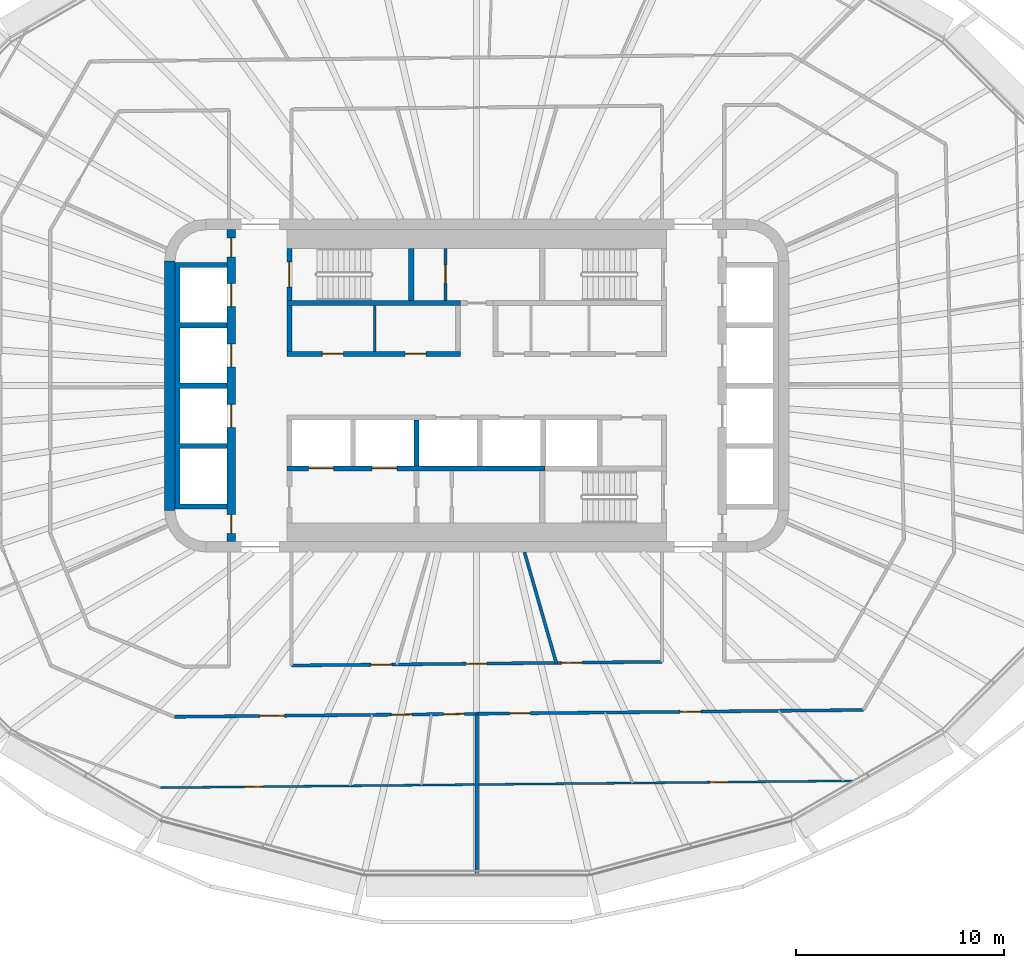
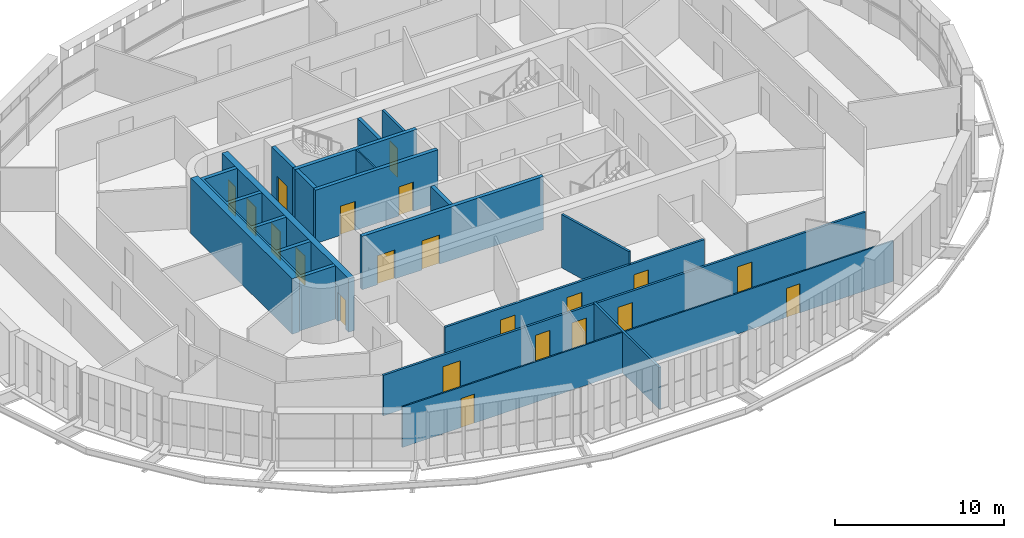
# One storey, part 12 of 23: 21 doors, 17 walls, 21 openings.
"""IFC4 building model written with IfcOpenShell, lengths in metres."""

import ifcopenshell
import ifcopenshell.guid

model = None  # the IFC model being written
_history = None  # IfcOwnerHistory: only IFC2X3 demands one
_inside = {}  # id of a spatial element -> (the spatial element, [elements in it])
_under = {}  # id of a project, library or spatial element -> (it, [spatial elements below it])
_declared = {}  # id of a project -> (the project, [libraries it declares])
_typed = {}  # id of a type object -> (the type object, [elements of that type])
_made_of = {}  # id of a material, layer set ... -> (it, [elements and type objects made of it])


def new_model(schema):
    """Start an empty IFC model of exactly this schema.

    Asked for "IFC4X3", IfcOpenShell would pick the latest addendum, in which some entities
    have other attributes; the version numbers below select the first issue.
    IFC2X3 requires an IfcOwnerHistory on every rooted entity: one is made here for all.
    """
    global model, _history
    if schema == "IFC4X3":
        model = ifcopenshell.file(schema_version=(4, 3, 0, 0))
    else:
        model = ifcopenshell.file(schema=schema)
    _inside.clear()
    _under.clear()
    _declared.clear()
    _typed.clear()
    _made_of.clear()
    _history = None
    if model.schema == "IFC2X3":
        org = make("IfcOrganization", Name="unknown")
        user = make(
            "IfcPersonAndOrganization",
            ThePerson=make("IfcPerson", FamilyName="unknown"),
            TheOrganization=org,
        )
        app = make(
            "IfcApplication",
            ApplicationDeveloper=org,
            Version="unknown",
            ApplicationFullName="unknown",
            ApplicationIdentifier="unknown",
        )
        _history = make(
            "IfcOwnerHistory",
            OwningUser=user,
            OwningApplication=app,
            ChangeAction="ADDED",
            CreationDate=0,
        )
    return model


def make(cls, **values):
    """One entity of the class cls with the attributes given. An attribute that is None is left unset."""
    return model.create_entity(
        cls, **{name: value for name, value in values.items() if value is not None}
    )


def rooted(cls, **values):
    """An entity with a GlobalId (a new one), such as an element, a storey or a relation."""
    return make(cls, GlobalId=ifcopenshell.guid.new(), OwnerHistory=_history, **values)


def si_unit(unit_type, name, prefix=None):
    """IfcSIUnit, for example si_unit("LENGTHUNIT", "METRE", prefix="MILLI")."""
    return make("IfcSIUnit", UnitType=unit_type, Prefix=prefix, Name=name)


def assignment(units):
    """IfcUnitAssignment: the units of a project."""
    return None if units is None else make("IfcUnitAssignment", Units=units)


def point(xyz):
    """IfcCartesianPoint."""
    return None if xyz is None else make("IfcCartesianPoint", Coordinates=xyz)


def direction(xyz):
    """IfcDirection."""
    return None if xyz is None else make("IfcDirection", DirectionRatios=xyz)


def frame(location, z_axis=None, x_axis=None):
    """IfcAxis2Placement3D, a coordinate frame: its origin and axes. An axis left out is left unset."""
    return make(
        "IfcAxis2Placement3D",
        Location=point(location),
        Axis=direction(z_axis),
        RefDirection=direction(x_axis),
    )


def frame_2d(location, x_axis=None):
    """IfcAxis2Placement2D, a coordinate frame in the plane: its origin and x axis."""
    return make(
        "IfcAxis2Placement2D", Location=point(location), RefDirection=direction(x_axis)
    )


def origin():
    """The frame at (0, 0, 0) with its axes left unset."""
    return frame((0.0, 0.0, 0.0))


def place(relative_to, where):
    """IfcLocalPlacement: puts the frame where relative to a parent placement (None: the world)."""
    return make(
        "IfcLocalPlacement", PlacementRelTo=relative_to, RelativePlacement=where
    )


def context(
    kind, dimensions, precision=None, world=None, true_north=None, identifier=None
):
    """IfcGeometricRepresentationContext, for example the 3D "Model" context."""
    return make(
        "IfcGeometricRepresentationContext",
        ContextIdentifier=identifier,
        ContextType=kind,
        CoordinateSpaceDimension=dimensions,
        Precision=precision,
        WorldCoordinateSystem=world,
        TrueNorth=true_north,
    )


def subcontext(parent, identifier, kind, view, scale=None):
    """IfcGeometricRepresentationSubContext, for example "Body" below "Model"."""
    return make(
        "IfcGeometricRepresentationSubContext",
        ContextIdentifier=identifier,
        ContextType=kind,
        ParentContext=parent,
        TargetScale=scale,
        TargetView=view,
    )


def project(units=None, contexts=None):
    """IfcProject with its units and contexts."""
    return rooted(
        "IfcProject",
        Name="project",
        RepresentationContexts=contexts,
        UnitsInContext=assignment(units),
    )


def spatial(cls, under=None, at=None, **own):
    """A site, building, storey or space (cls), placed at a placement, below another one or the project."""
    s = rooted(cls, ObjectPlacement=at, **own)
    if under is not None:
        _under.setdefault(under.id(), (under, []))[1].append(s)
    return s


def polyline(points):
    """IfcPolyline through the points."""
    return make("IfcPolyline", Points=[point(p) for p in points])


def profile(cls, at=None, kind="AREA", **sizes):
    """A parametric profile (cls). Its sizes go by their IFC names, for example OverallWidth=200.0."""
    return make(cls, ProfileType=kind, Position=at, **sizes)


def rectangle(**sizes):
    """IfcRectangleProfileDef."""
    return profile("IfcRectangleProfileDef", **sizes)


def outline(outer, holes=None, kind="AREA"):
    """IfcArbitraryClosedProfileDef: a profile drawn as a closed curve; with holes, ...WithVoids."""
    if holes is None:
        return make("IfcArbitraryClosedProfileDef", ProfileType=kind, OuterCurve=outer)
    return make(
        "IfcArbitraryProfileDefWithVoids",
        ProfileType=kind,
        OuterCurve=outer,
        InnerCurves=holes,
    )


def extrude(swept, where, along, depth):
    """IfcExtrudedAreaSolid: the profile swept, set in the frame where, extruded along a direction by depth."""
    return make(
        "IfcExtrudedAreaSolid",
        SweptArea=swept,
        Position=where,
        ExtrudedDirection=direction(along),
        Depth=depth,
    )


def shape(context_of_items, identifier, shape_type, items):
    """IfcShapeRepresentation: the items that make up one representation, for example the "Body"."""
    return make(
        "IfcShapeRepresentation",
        ContextOfItems=context_of_items,
        RepresentationIdentifier=identifier,
        RepresentationType=shape_type,
        Items=items,
    )


def material(Name=None, Category=None):
    """IfcMaterial."""
    return make("IfcMaterial", Name=Name, Category=Category)


def layer(
    of_material, thickness, ventilated=None, Name=None, Category=None, Priority=None
):
    """IfcMaterialLayer: one layer of a wall or slab, of a material (None: an air gap)."""
    return make(
        "IfcMaterialLayer",
        Material=of_material,
        LayerThickness=thickness,
        IsVentilated=ventilated,
        Name=Name,
        Category=Category,
        Priority=Priority,
    )


def layer_set(layers, Name=None):
    """IfcMaterialLayerSet."""
    return make("IfcMaterialLayerSet", MaterialLayers=layers, LayerSetName=Name)


def made_of(thing, what):
    """Note that an element or type object is made of a material, layer set ...; save() writes the relation."""
    if what is not None:
        _made_of.setdefault(what.id(), (what, []))[1].append(thing)
    return thing


def type_object(cls, material=None, **own):
    """A type object (cls), such as IfcWallType, which elements share."""
    return made_of(rooted(cls, **own), material)


def element(
    cls,
    number,
    at=None,
    inside=None,
    cuts=None,
    type_object=None,
    material=None,
    context=None,
    identifier="Body",
    shape_type=None,
    held_by="IfcProductDefinitionShape",
    body=None,
    shapes=None,
    **own,
):
    """One element of the class cls, such as IfcWall. Its Tag is "e" and its number.

    at: its placement. inside: the storey or other place that contains it. cuts: it is an
    opening in that element (IfcRelVoidsElement). A single representation is given by context,
    identifier, shape_type and body (its items); several are given by shapes. held_by: the class
    of the entity that holds the representations. save() writes the other relations.
    """
    e = rooted(cls, Tag="e%d" % number, ObjectPlacement=at, **own)
    if body is not None:
        shapes = [shape(context, identifier, shape_type, body)]
    if shapes is not None:
        e.Representation = make(held_by, Representations=shapes)
    if inside is not None:
        _inside.setdefault(inside.id(), (inside, []))[1].append(e)
    if cuts is not None:
        rooted(
            "IfcRelVoidsElement", RelatingBuildingElement=cuts, RelatedOpeningElement=e
        )
    if type_object is not None:
        _typed.setdefault(type_object.id(), (type_object, []))[1].append(e)
    return made_of(e, material)


def fill(opening, filler):
    """IfcRelFillsElement: the door or window that sits in an opening."""
    return rooted(
        "IfcRelFillsElement",
        RelatingOpeningElement=opening,
        RelatedBuildingElement=filler,
    )


def aggregate(whole, parts):
    """IfcRelAggregates: a whole, such as a stair, and the parts it consists of."""
    return rooted("IfcRelAggregates", RelatingObject=whole, RelatedObjects=parts)


def save(model, path):
    """Write the relations noted so far, then the file.

    IfcRelAggregates (storeys below a building ...), IfcRelContainedInSpatialStructure (elements
    in a storey), IfcRelDefinesByType, IfcRelAssociatesMaterial and IfcRelDeclares: one each for
    every whole, place, type object, material and project.
    """
    for whole, parts in _under.values():
        aggregate(whole, parts)
    for where, things in _inside.values():
        rooted(
            "IfcRelContainedInSpatialStructure",
            RelatedElements=things,
            RelatingStructure=where,
        )
    for kind, things in _typed.values():
        rooted("IfcRelDefinesByType", RelatedObjects=things, RelatingType=kind)
    for what, things in _made_of.values():
        rooted("IfcRelAssociatesMaterial", RelatedObjects=things, RelatingMaterial=what)
    for by, libraries in _declared.values():
        rooted("IfcRelDeclares", RelatingContext=by, RelatedDefinitions=libraries)
    model.write(path)


model = new_model("IFC4")

# Units and contexts
model_context = context("Model", 3, precision=1e-05, world=origin(), true_north=direction((0.0, 1.0)))
body_context = subcontext(model_context, "Body", "Model", "MODEL_VIEW")
ifc_project = project(units=[si_unit("LENGTHUNIT", "METRE"), si_unit("AREAUNIT", "SQUARE_METRE"), si_unit("VOLUMEUNIT", "CUBIC_METRE"), si_unit("PLANEANGLEUNIT", "RADIAN"), si_unit("MASSUNIT", "GRAM", prefix="KILO")], contexts=[model_context])

# Site, building, storey
site_placement = place(None, origin())
site = spatial("IfcSite", under=ifc_project, at=site_placement, CompositionType="ELEMENT")
building_placement = place(site_placement, origin())
building = spatial("IfcBuilding", under=site, at=building_placement, Name="Sahrelin Media Tower", CompositionType="ELEMENT")
storey_placement = place(building_placement, frame((0.0, 0.0, 157.60009765625)))
storey = spatial("IfcBuildingStorey", under=building, at=storey_placement, Name="L32", CompositionType="ELEMENT", Elevation=157.60009765625)

# Wall
ifc_material_1 = material(Name="Concrete C60/75", Category="concrete")
ifc_layer_1 = layer(ifc_material_1, 0.5)
ifc_layer_set_1 = layer_set([ifc_layer_1], Name="Core wall 500")
wall_type_1 = type_object("IfcWallType", Name="Core wall 500", PredefinedType="SHEAR", material=ifc_layer_set_1)
wall_1_placement = place(storey_placement, frame((-14.75, -6.0, 0.0), z_axis=(0.0, 0.0, 1.0), x_axis=(0.0, 1.0, 0.0)))
element("IfcWall", 1, at=wall_1_placement, inside=storey, type_object=wall_type_1, Name="Core wall W L32", PredefinedType="SHEAR", context=body_context, shape_type="SweptSolid", body=[
    extrude(rectangle(XDim=12.0, YDim=0.5, at=frame_2d((6.0, 0.0))), origin(), (0.0, 0.0, 1.0), 4.0),
])

# Wall, openings, doors
ifc_material_2 = material(Name="Fire-rated gypsum board partition")
ifc_layer_2 = layer(ifc_material_2, 0.25)
ifc_layer_set_2 = layer_set([ifc_layer_2], Name="Fire-rated lobby wall 250")
wall_type_2 = type_object("IfcWallType", Name="Fire-rated lobby wall 250", PredefinedType="PARTITIONING", material=ifc_layer_set_2)
wall_2_placement = place(storey_placement, frame((-9.125, 1.52490234375, 0.0), z_axis=(0.0, 0.0, 1.0), x_axis=(1.0, 0.0, 0.0)))
wall_2 = element("IfcWall", 2, at=wall_2_placement, inside=storey, type_object=wall_type_2, Name="Core lobby wall", PredefinedType="PARTITIONING", context=body_context, shape_type="SweptSolid", body=[
    extrude(rectangle(XDim=8.35009765625, YDim=0.25, at=frame_2d((4.175048828125, 0.0))), origin(), (0.0, 0.0, 1.0), 3.849853515625),
])
opening_1_placement = place(wall_2_placement, frame((1.71240234375, 0.0, 0.0)))
opening_1 = element("IfcOpeningElement", 3, at=opening_1_placement, cuts=wall_2, Name="Opening L32-D09", PredefinedType="OPENING", context=body_context, shape_type="SweptSolid", body=[
    extrude(rectangle(XDim=1.0, YDim=2.10009765625, at=frame_2d((0.5, 1.050048828125))), frame((0.0, 0.125, 0.0), z_axis=(0.0, -1.0, 0.0), x_axis=(1.0, 0.0, 0.0)), (0.0, 0.0, 1.0), 0.25),
])
opening_2_placement = place(wall_2_placement, frame((5.6875, 0.0, 0.0)))
opening_2 = element("IfcOpeningElement", 4, at=opening_2_placement, cuts=wall_2, Name="Opening L32-D10", PredefinedType="OPENING", context=body_context, shape_type="SweptSolid", body=[
    extrude(rectangle(XDim=1.0, YDim=2.10009765625, at=frame_2d((0.5, 1.050048828125))), frame((0.0, 0.125, 0.0), z_axis=(0.0, -1.0, 0.0), x_axis=(1.0, 0.0, 0.0)), (0.0, 0.0, 1.0), 0.25),
])
ifc_material_3 = material(Name="Steel fire door leaf", Category="steel")
door_type_1 = type_object("IfcDoorType", Name="Fire door 1000 x 2100 EI 60", OperationType="NOTDEFINED", PredefinedType="DOOR", material=ifc_material_3)
door_1_placement = place(opening_1_placement, origin())
door_1 = element("IfcDoor", 5, at=door_1_placement, inside=storey, type_object=door_type_1, Name="Core room door", OperationType="SINGLE_SWING_LEFT", OverallHeight=2.10009765625, OverallWidth=1.0, PredefinedType="DOOR", context=body_context, shape_type="SweptSolid", body=[
    extrude(rectangle(XDim=1.0, YDim=2.10009765625, at=frame_2d((0.5, 1.050048828125))), frame((0.0, 0.02490234375, 0.0), z_axis=(0.0, -1.0, 0.0), x_axis=(1.0, 0.0, 0.0)), (0.0, 0.0, 1.0), 0.050048828125),
])
fill(opening_1, door_1)
door_2_placement = place(opening_2_placement, origin())
door_2 = element("IfcDoor", 6, at=door_2_placement, inside=storey, type_object=door_type_1, Name="Core room door", OperationType="SINGLE_SWING_LEFT", OverallHeight=2.10009765625, OverallWidth=1.0, PredefinedType="DOOR", context=body_context, shape_type="SweptSolid", body=[
    extrude(rectangle(XDim=1.0, YDim=2.10009765625, at=frame_2d((0.5, 1.050048828125))), frame((0.0, 0.02490234375, 0.0), z_axis=(0.0, -1.0, 0.0), x_axis=(1.0, 0.0, 0.0)), (0.0, 0.0, 1.0), 0.050048828125),
])
fill(opening_2, door_2)

# Walls
wall_3_placement = place(storey_placement, frame((-9.0, 1.64990234375, 0.0), z_axis=(0.0, 0.0, 1.0), x_axis=(0.0, 1.0, 0.0)))
element("IfcWall", 7, at=wall_3_placement, inside=storey, type_object=wall_type_2, Name="Core lobby wall", PredefinedType="PARTITIONING", context=body_context, shape_type="SweptSolid", body=[
    extrude(rectangle(XDim=2.2001953125, YDim=0.25, at=frame_2d((1.10009765625, 0.0))), origin(), (0.0, 0.0, 1.0), 3.849853515625),
])
ifc_layer_3 = layer(ifc_material_2, 0.10009765625)
ifc_layer_set_3 = layer_set([ifc_layer_3], Name="Fire-rated partition 100")
wall_type_3 = type_object("IfcWallType", Name="Fire-rated partition 100", PredefinedType="PARTITIONING", material=ifc_layer_set_3)
wall_4_placement = place(storey_placement, frame((-4.89990234375, 1.64990234375, 0.0), z_axis=(0.0, 0.0, 1.0), x_axis=(0.0, 1.0, 0.0)))
element("IfcWall", 8, at=wall_4_placement, inside=storey, type_object=wall_type_3, Name="Core room partition", PredefinedType="PARTITIONING", context=body_context, shape_type="SweptSolid", body=[
    extrude(rectangle(XDim=2.2001953125, YDim=0.10009765625, at=frame_2d((1.10009765625, 0.0))), origin(), (0.0, 0.0, 1.0), 3.849853515625),
])

# Wall, opening, door
ifc_layer_4 = layer(ifc_material_2, 0.14990234375)
ifc_layer_set_4 = layer_set([ifc_layer_4], Name="Fire-rated partition 150")
wall_type_4 = type_object("IfcWallType", Name="Fire-rated partition 150", PredefinedType="PARTITIONING", material=ifc_layer_set_4)
wall_5_placement = place(storey_placement, frame((-1.5, 4.10009765625, 0.0), z_axis=(0.0, 0.0, 1.0), x_axis=(0.0, 1.0, 0.0)))
wall_5 = element("IfcWall", 9, at=wall_5_placement, inside=storey, type_object=wall_type_4, Name="Core room fire partition", PredefinedType="PARTITIONING", context=body_context, shape_type="SweptSolid", body=[
    extrude(rectangle(XDim=2.5, YDim=0.14990234375, at=frame_2d((1.25, 0.0))), origin(), (0.0, 0.0, 1.0), 3.849853515625),
])
opening_3_placement = place(wall_5_placement, frame((0.800048828125, 0.0, 0.0)))
opening_3 = element("IfcOpeningElement", 10, at=opening_3_placement, cuts=wall_5, Name="Opening L32-D07", PredefinedType="OPENING", context=body_context, shape_type="SweptSolid", body=[
    extrude(rectangle(XDim=0.89990234375, YDim=2.10009765625, at=frame_2d((0.449951171875, 1.050048828125))), frame((0.0, 0.074951171875, 0.0), z_axis=(0.0, -1.0, 0.0), x_axis=(1.0, 0.0, 0.0)), (0.0, 0.0, 1.0), 0.14990234375),
])
door_type_2 = type_object("IfcDoorType", Name="Fire door 900 x 2100 EI 60", OperationType="NOTDEFINED", PredefinedType="DOOR", material=ifc_material_3)
door_3_placement = place(opening_3_placement, origin())
door_3 = element("IfcDoor", 11, at=door_3_placement, inside=storey, type_object=door_type_2, Name="Core room door", OperationType="SINGLE_SWING_LEFT", OverallHeight=2.10009765625, OverallWidth=0.89990234375, PredefinedType="DOOR", context=body_context, shape_type="SweptSolid", body=[
    extrude(rectangle(XDim=0.89990234375, YDim=2.10009765625, at=frame_2d((0.449951171875, 1.050048828125))), frame((0.0, 0.02490234375, 0.0), z_axis=(0.0, -1.0, 0.0), x_axis=(1.0, 0.0, 0.0)), (0.0, 0.0, 1.0), 0.050048828125),
])
fill(opening_3, door_3)

# Wall
wall_6_placement = place(storey_placement, frame((2.2958984375, -8.0, 0.0), z_axis=(0.0, 0.0, 1.0), x_axis=(0.275935525478, -0.961176147113, 0.0)))
element("IfcWall", 12, at=wall_6_placement, inside=storey, type_object=wall_type_4, Name="Wall", PredefinedType="PARTITIONING", context=body_context, shape_type="SweptSolid", body=[
    extrude(rectangle(XDim=5.54833984375, YDim=0.14990234375, at=frame_2d((2.774169921875, 0.0))), origin(), (0.0, 0.0, 1.0), 3.849853515625),
])

# Wall, openings, doors
wall_7_placement = place(storey_placement, frame((-14.533935546875, -15.915283203125, 0.0), z_axis=(0.0, 0.0, 1.0), x_axis=(0.999950930262, 0.009906415532, 0.0)))
wall_7 = element("IfcWall", 13, at=wall_7_placement, inside=storey, type_object=wall_type_4, Name="Wall", PredefinedType="PARTITIONING", context=body_context, shape_type="SweptSolid", body=[
    extrude(rectangle(XDim=33.12255859375, YDim=0.14990234375, at=frame_2d((16.561279296875, 0.0))), origin(), (0.0, 0.0, 1.0), 2.927001953125),
])
opening_4_placement = place(wall_7_placement, frame((4.10595703125, 0.0, 0.0)))
opening_4 = element("IfcOpeningElement", 14, at=opening_4_placement, cuts=wall_7, Name="Opening L32-D45", PredefinedType="OPENING", context=body_context, shape_type="SweptSolid", body=[
    extrude(rectangle(XDim=1.199951171875, YDim=2.10009765625, at=frame_2d((0.60009765625, 1.050048828125))), frame((0.0, 0.074951171875, 0.0), z_axis=(0.0, -1.0, 0.0), x_axis=(1.0, 0.0, 0.0)), (0.0, 0.0, 1.0), 0.14990234375),
])
opening_5_placement = place(wall_7_placement, frame((10.43408203125, 0.0, 0.0)))
opening_5 = element("IfcOpeningElement", 15, at=opening_5_placement, cuts=wall_7, Name="Opening L32-D46", PredefinedType="OPENING", context=body_context, shape_type="SweptSolid", body=[
    extrude(rectangle(XDim=1.0, YDim=2.10009765625, at=frame_2d((0.5, 1.050048828125))), frame((0.0, 0.074951171875, 0.0), z_axis=(0.0, -1.0, 0.0), x_axis=(1.0, 0.0, 0.0)), (0.0, 0.0, 1.0), 0.14990234375),
])
opening_6_placement = place(wall_7_placement, frame((12.94189453125, 0.0, 0.0)))
opening_6 = element("IfcOpeningElement", 16, at=opening_6_placement, cuts=wall_7, Name="Opening L32-D47", PredefinedType="OPENING", context=body_context, shape_type="SweptSolid", body=[
    extrude(rectangle(XDim=1.0, YDim=2.10009765625, at=frame_2d((0.5, 1.050048828125))), frame((0.0, 0.074951171875, 0.0), z_axis=(0.0, -1.0, 0.0), x_axis=(1.0, 0.0, 0.0)), (0.0, 0.0, 1.0), 0.14990234375),
])
opening_7_placement = place(wall_7_placement, frame((16.111328125, 0.0, 0.0)))
opening_7 = element("IfcOpeningElement", 17, at=opening_7_placement, cuts=wall_7, Name="Opening L32-D49", PredefinedType="OPENING", context=body_context, shape_type="SweptSolid", body=[
    extrude(rectangle(XDim=1.0, YDim=2.10009765625, at=frame_2d((0.5, 1.050048828125))), frame((0.0, 0.074951171875, 0.0), z_axis=(0.0, -1.0, 0.0), x_axis=(1.0, 0.0, 0.0)), (0.0, 0.0, 1.0), 0.14990234375),
])
opening_8_placement = place(wall_7_placement, frame((24.317626953125, 0.0, 0.0)))
opening_8 = element("IfcOpeningElement", 18, at=opening_8_placement, cuts=wall_7, Name="Opening L32-D50", PredefinedType="OPENING", context=body_context, shape_type="SweptSolid", body=[
    extrude(rectangle(XDim=1.0, YDim=2.10009765625, at=frame_2d((0.5, 1.050048828125))), frame((0.0, 0.074951171875, 0.0), z_axis=(0.0, -1.0, 0.0), x_axis=(1.0, 0.0, 0.0)), (0.0, 0.0, 1.0), 0.14990234375),
])
door_4_placement = place(opening_5_placement, origin())
door_4 = element("IfcDoor", 19, at=door_4_placement, inside=storey, type_object=door_type_1, Name="Fire door", OperationType="SINGLE_SWING_LEFT", OverallHeight=2.10009765625, OverallWidth=1.0, PredefinedType="DOOR", context=body_context, shape_type="SweptSolid", body=[
    extrude(rectangle(XDim=1.0, YDim=2.10009765625, at=frame_2d((0.5, 1.050048828125))), frame((0.0, 0.02490234375, 0.0), z_axis=(0.0, -1.0, 0.0), x_axis=(1.0, 0.0, 0.0)), (0.0, 0.0, 1.0), 0.050048828125),
])
fill(opening_5, door_4)
door_5_placement = place(opening_6_placement, origin())
door_5 = element("IfcDoor", 20, at=door_5_placement, inside=storey, type_object=door_type_1, Name="Fire door", OperationType="SINGLE_SWING_LEFT", OverallHeight=2.10009765625, OverallWidth=1.0, PredefinedType="DOOR", context=body_context, shape_type="SweptSolid", body=[
    extrude(rectangle(XDim=1.0, YDim=2.10009765625, at=frame_2d((0.5, 1.050048828125))), frame((0.0, 0.02490234375, 0.0), z_axis=(0.0, -1.0, 0.0), x_axis=(1.0, 0.0, 0.0)), (0.0, 0.0, 1.0), 0.050048828125),
])
fill(opening_6, door_5)
door_6_placement = place(opening_7_placement, origin())
door_6 = element("IfcDoor", 21, at=door_6_placement, inside=storey, type_object=door_type_1, Name="Fire door", OperationType="SINGLE_SWING_LEFT", OverallHeight=2.10009765625, OverallWidth=1.0, PredefinedType="DOOR", context=body_context, shape_type="SweptSolid", body=[
    extrude(rectangle(XDim=1.0, YDim=2.10009765625, at=frame_2d((0.5, 1.050048828125))), frame((0.0, 0.02490234375, 0.0), z_axis=(0.0, -1.0, 0.0), x_axis=(1.0, 0.0, 0.0)), (0.0, 0.0, 1.0), 0.050048828125),
])
fill(opening_7, door_6)
door_7_placement = place(opening_8_placement, origin())
door_7 = element("IfcDoor", 22, at=door_7_placement, inside=storey, type_object=door_type_1, Name="Fire door", OperationType="SINGLE_SWING_RIGHT", OverallHeight=2.10009765625, OverallWidth=1.0, PredefinedType="DOOR", context=body_context, shape_type="SweptSolid", body=[
    extrude(rectangle(XDim=1.0, YDim=2.10009765625, at=frame_2d((0.5, 1.050048828125))), frame((0.0, 0.02490234375, 0.0), z_axis=(0.0, -1.0, 0.0), x_axis=(1.0, 0.0, 0.0)), (0.0, 0.0, 1.0), 0.050048828125),
])
fill(opening_8, door_7)
door_type_3 = type_object("IfcDoorType", Name="Service double door 1200 x 2100 EI 60", OperationType="DOUBLE_DOOR_SINGLE_SWING", PredefinedType="DOOR", material=ifc_material_3)
door_8_placement = place(opening_4_placement, origin())
door_8 = element("IfcDoor", 23, at=door_8_placement, inside=storey, type_object=door_type_3, Name="Service double door", OperationType="DOUBLE_DOOR_SINGLE_SWING", OverallHeight=2.10009765625, OverallWidth=1.199951171875, PredefinedType="DOOR", context=body_context, shape_type="SweptSolid", body=[
    extrude(rectangle(XDim=1.199951171875, YDim=2.10009765625, at=frame_2d((0.60009765625, 1.050048828125))), frame((0.0, 0.02490234375, 0.0), z_axis=(0.0, -1.0, 0.0), x_axis=(1.0, 0.0, 0.0)), (0.0, 0.0, 1.0), 0.050048828125),
])
fill(opening_4, door_8)

wall_8_placement = place(storey_placement, frame((-8.89990234375, -13.448974609375, 0.0), z_axis=(0.0, 0.0, 1.0), x_axis=(0.999950834077, 0.009916119672, 0.0)))
wall_8 = element("IfcWall", 24, at=wall_8_placement, inside=storey, type_object=wall_type_4, Name="Wall", PredefinedType="PARTITIONING", context=body_context, shape_type="SweptSolid", body=[
    extrude(rectangle(XDim=17.80078125, YDim=0.14990234375, at=frame_2d((8.900390625, 0.0))), origin(), (0.0, 0.0, 1.0), 2.927001953125),
])
opening_9_placement = place(wall_8_placement, frame((3.81787109375, 0.0, 0.0)))
opening_9 = element("IfcOpeningElement", 25, at=opening_9_placement, cuts=wall_8, Name="Opening L32-D23", PredefinedType="OPENING", context=body_context, shape_type="SweptSolid", body=[
    extrude(rectangle(XDim=1.0, YDim=2.10009765625, at=frame_2d((0.5, 1.050048828125))), frame((0.0, 0.074951171875, 0.0), z_axis=(0.0, -1.0, 0.0), x_axis=(1.0, 0.0, 0.0)), (0.0, 0.0, 1.0), 0.14990234375),
])
opening_10_placement = place(wall_8_placement, frame((8.390625, 0.0, 0.0)))
opening_10 = element("IfcOpeningElement", 26, at=opening_10_placement, cuts=wall_8, Name="Opening L32-D24", PredefinedType="OPENING", context=body_context, shape_type="SweptSolid", body=[
    extrude(rectangle(XDim=1.0, YDim=2.10009765625, at=frame_2d((0.5, 1.050048828125))), frame((0.0, 0.074951171875, 0.0), z_axis=(0.0, -1.0, 0.0), x_axis=(1.0, 0.0, 0.0)), (0.0, 0.0, 1.0), 0.14990234375),
])
opening_11_placement = place(wall_8_placement, frame((12.974609375, 0.0, 0.0)))
opening_11 = element("IfcOpeningElement", 27, at=opening_11_placement, cuts=wall_8, Name="Opening L32-D25", PredefinedType="OPENING", context=body_context, shape_type="SweptSolid", body=[
    extrude(rectangle(XDim=1.0, YDim=2.10009765625, at=frame_2d((0.5, 1.050048828125))), frame((0.0, 0.074951171875, 0.0), z_axis=(0.0, -1.0, 0.0), x_axis=(1.0, 0.0, 0.0)), (0.0, 0.0, 1.0), 0.14990234375),
])
door_9_placement = place(opening_9_placement, origin())
door_9 = element("IfcDoor", 28, at=door_9_placement, inside=storey, type_object=door_type_1, Name="Fire door", OperationType="SINGLE_SWING_RIGHT", OverallHeight=2.10009765625, OverallWidth=1.0, PredefinedType="DOOR", context=body_context, shape_type="SweptSolid", body=[
    extrude(rectangle(XDim=1.0, YDim=2.10009765625, at=frame_2d((0.5, 1.050048828125))), frame((0.0, 0.02490234375, 0.0), z_axis=(0.0, -1.0, 0.0), x_axis=(1.0, 0.0, 0.0)), (0.0, 0.0, 1.0), 0.050048828125),
])
fill(opening_9, door_9)
door_10_placement = place(opening_10_placement, origin())
door_10 = element("IfcDoor", 29, at=door_10_placement, inside=storey, type_object=door_type_1, Name="Fire door", OperationType="SINGLE_SWING_RIGHT", OverallHeight=2.10009765625, OverallWidth=1.0, PredefinedType="DOOR", context=body_context, shape_type="SweptSolid", body=[
    extrude(rectangle(XDim=1.0, YDim=2.10009765625, at=frame_2d((0.5, 1.050048828125))), frame((0.0, 0.02490234375, 0.0), z_axis=(0.0, -1.0, 0.0), x_axis=(1.0, 0.0, 0.0)), (0.0, 0.0, 1.0), 0.050048828125),
])
fill(opening_10, door_10)
door_11_placement = place(opening_11_placement, origin())
door_11 = element("IfcDoor", 30, at=door_11_placement, inside=storey, type_object=door_type_1, Name="Fire door", OperationType="SINGLE_SWING_RIGHT", OverallHeight=2.10009765625, OverallWidth=1.0, PredefinedType="DOOR", context=body_context, shape_type="SweptSolid", body=[
    extrude(rectangle(XDim=1.0, YDim=2.10009765625, at=frame_2d((0.5, 1.050048828125))), frame((0.0, 0.02490234375, 0.0), z_axis=(0.0, -1.0, 0.0), x_axis=(1.0, 0.0, 0.0)), (0.0, 0.0, 1.0), 0.050048828125),
])
fill(opening_11, door_11)

# Wall
wall_9_placement = place(storey_placement, frame((0.0, -23.531982421875, 0.0), z_axis=(0.0, 0.0, 1.0), x_axis=(0.0, 1.0, 0.0)))
element("IfcWall", 31, at=wall_9_placement, inside=storey, type_object=wall_type_4, Name="Wall", PredefinedType="PARTITIONING", context=body_context, shape_type="SweptSolid", body=[
    extrude(rectangle(XDim=7.760009765625, YDim=0.14990234375, at=frame_2d((3.8798828125, 0.0))), origin(), (0.0, 0.0, 1.0), 2.994873046875),
])

# Wall, openings, doors
ifc_layer_5 = layer(ifc_material_1, 0.25)
ifc_layer_set_5 = layer_set([ifc_layer_5], Name="Lift shaft wall 250")
wall_type_5 = type_object("IfcWallType", Name="Lift shaft wall 250", PredefinedType="SOLIDWALL", material=ifc_layer_set_5)
wall_10_placement = place(storey_placement, frame((-9.125, -3.97509765625, 0.0), z_axis=(0.0, 0.0, 1.0), x_axis=(1.0, 0.0, 0.0)))
wall_10 = element("IfcWall", 32, at=wall_10_placement, inside=storey, type_object=wall_type_5, Name="Lift shaft wall", PredefinedType="SOLIDWALL", context=body_context, shape_type="SweptSolid", body=[
    extrude(rectangle(XDim=12.39990234375, YDim=0.25, at=frame_2d((6.199951171875, 0.0))), origin(), (0.0, 0.0, 1.0), 3.849853515625),
])
opening_12_placement = place(wall_10_placement, frame((1.050048828125, 0.0, 0.0)))
opening_12 = element("IfcOpeningElement", 33, at=opening_12_placement, cuts=wall_10, Name="Opening L32-LD-FF1", PredefinedType="OPENING", context=body_context, shape_type="SweptSolid", body=[
    extrude(rectangle(XDim=1.199951171875, YDim=2.10009765625, at=frame_2d((0.60009765625, 1.050048828125))), frame((0.0, 0.125, 0.0), z_axis=(0.0, -1.0, 0.0), x_axis=(1.0, 0.0, 0.0)), (0.0, 0.0, 1.0), 0.25),
])
opening_13_placement = place(wall_10_placement, frame((4.10009765625, 0.0, 0.0)))
opening_13 = element("IfcOpeningElement", 34, at=opening_13_placement, cuts=wall_10, Name="Opening L32-LD-FF2", PredefinedType="OPENING", context=body_context, shape_type="SweptSolid", body=[
    extrude(rectangle(XDim=1.199951171875, YDim=2.10009765625, at=frame_2d((0.60009765625, 1.050048828125))), frame((0.0, 0.125, 0.0), z_axis=(0.0, -1.0, 0.0), x_axis=(1.0, 0.0, 0.0)), (0.0, 0.0, 1.0), 0.25),
])
ifc_material_4 = material(Name="Stainless steel", Category="steel")
door_type_4 = type_object("IfcDoorType", Name="Lift landing door 1200 x 2100 EI 120", OperationType="DOUBLE_DOOR_SLIDING", PredefinedType="DOOR", material=ifc_material_4)
door_12_placement = place(opening_12_placement, origin())
door_12 = element("IfcDoor", 35, at=door_12_placement, inside=storey, type_object=door_type_4, Name="Lift landing door FF1", OperationType="DOUBLE_DOOR_SLIDING", OverallHeight=2.10009765625, OverallWidth=1.199951171875, PredefinedType="DOOR", context=body_context, shape_type="SweptSolid", body=[
    extrude(rectangle(XDim=1.199951171875, YDim=2.10009765625, at=frame_2d((0.60009765625, 1.050048828125))), frame((0.0, 0.02490234375, 0.0), z_axis=(0.0, -1.0, 0.0), x_axis=(1.0, 0.0, 0.0)), (0.0, 0.0, 1.0), 0.050048828125),
])
fill(opening_12, door_12)
door_13_placement = place(opening_13_placement, origin())
door_13 = element("IfcDoor", 36, at=door_13_placement, inside=storey, type_object=door_type_4, Name="Lift landing door FF2", OperationType="DOUBLE_DOOR_SLIDING", OverallHeight=2.10009765625, OverallWidth=1.199951171875, PredefinedType="DOOR", context=body_context, shape_type="SweptSolid", body=[
    extrude(rectangle(XDim=1.199951171875, YDim=2.10009765625, at=frame_2d((0.60009765625, 1.050048828125))), frame((0.0, 0.02490234375, 0.0), z_axis=(0.0, -1.0, 0.0), x_axis=(1.0, 0.0, 0.0)), (0.0, 0.0, 1.0), 0.050048828125),
])
fill(opening_13, door_13)

# Walls
wall_11_placement = place(storey_placement, frame((-2.89990234375, -3.85009765625, 0.0), z_axis=(0.0, 0.0, 1.0), x_axis=(0.0, 1.0, 0.0)))
element("IfcWall", 37, at=wall_11_placement, inside=storey, type_object=wall_type_5, Name="Lift shaft wall", PredefinedType="SOLIDWALL", context=body_context, shape_type="SweptSolid", body=[
    extrude(rectangle(XDim=2.2001953125, YDim=0.25, at=frame_2d((1.10009765625, 0.0))), origin(), (0.0, 0.0, 1.0), 3.849853515625),
])
wall_12_placement = place(storey_placement, origin())
element("IfcWall", 38, at=wall_12_placement, inside=storey, type_object=wall_type_5, Name="Lift shaft wall", PredefinedType="SOLIDWALL", context=body_context, shape_type="SweptSolid", body=[
    extrude(outline(polyline([(-12.0, -5.925048828125), (-12.0, -5.675048828125), (-14.25, -5.675048828125), (-14.25, -3.02490234375), (-12.0, -3.02490234375), (-12.0, -2.77490234375), (-14.25, -2.77490234375), (-14.25, -0.125), (-12.0, -0.125), (-12.0, 0.125), (-14.25, 0.125), (-14.25, 2.77490234375), (-12.0, 2.77490234375), (-12.0, 3.02490234375), (-14.25, 3.02490234375), (-14.25, 5.675048828125), (-12.0, 5.675048828125), (-12.0, 5.925048828125), (-14.25, 5.925048828125), (-14.5, 5.925048828125), (-14.5, 5.675048828125), (-14.5, 3.02490234375), (-14.5, 2.77490234375), (-14.5, 0.125), (-14.5, -0.125), (-14.5, -2.77490234375), (-14.5, -3.02490234375), (-14.5, -5.675048828125), (-14.5, -5.925048828125), (-14.25, -5.925048828125), (-12.0, -5.925048828125)])), origin(), (0.0, 0.0, 1.0), 3.849853515625),
])

# Wall, openings, doors
ifc_layer_6 = layer(ifc_material_1, 0.39990234375)
ifc_layer_set_6 = layer_set([ifc_layer_6], Name="Lift shaft wall 400")
wall_type_6 = type_object("IfcWallType", Name="Lift shaft wall 400", PredefinedType="SOLIDWALL", material=ifc_layer_set_6)
wall_13_placement = place(storey_placement, frame((-11.800048828125, -7.5, 0.0), z_axis=(0.0, 0.0, 1.0), x_axis=(0.0, 1.0, 0.0)))
wall_13 = element("IfcWall", 39, at=wall_13_placement, inside=storey, type_object=wall_type_6, Name="Lift shaft wall", PredefinedType="SOLIDWALL", context=body_context, shape_type="SweptSolid", body=[
    extrude(rectangle(XDim=15.0, YDim=0.39990234375, at=frame_2d((7.5, 0.0))), origin(), (0.0, 0.0, 1.0), 3.849853515625),
])
opening_14_placement = place(wall_13_placement, frame((11.300048828125, 0.0, 0.0)))
opening_14 = element("IfcOpeningElement", 40, at=opening_14_placement, cuts=wall_13, Name="Opening L32-LD-LR1", PredefinedType="OPENING", context=body_context, shape_type="SweptSolid", body=[
    extrude(rectangle(XDim=1.10009765625, YDim=2.10009765625, at=frame_2d((0.550048828125, 1.050048828125))), frame((0.0, 0.199951171875, 0.0), z_axis=(0.0, -1.0, 0.0), x_axis=(1.0, 0.0, 0.0)), (0.0, 0.0, 1.0), 0.39990234375),
])
opening_15_placement = place(wall_13_placement, frame((8.39990234375, 0.0, 0.0)))
opening_15 = element("IfcOpeningElement", 41, at=opening_15_placement, cuts=wall_13, Name="Opening L32-LD-LR2", PredefinedType="OPENING", context=body_context, shape_type="SweptSolid", body=[
    extrude(rectangle(XDim=1.10009765625, YDim=2.10009765625, at=frame_2d((0.550048828125, 1.050048828125))), frame((0.0, 0.199951171875, 0.0), z_axis=(0.0, -1.0, 0.0), x_axis=(1.0, 0.0, 0.0)), (0.0, 0.0, 1.0), 0.39990234375),
])
opening_16_placement = place(wall_13_placement, frame((5.5, 0.0, 0.0)))
opening_16 = element("IfcOpeningElement", 42, at=opening_16_placement, cuts=wall_13, Name="Opening L32-LD-LR3", PredefinedType="OPENING", context=body_context, shape_type="SweptSolid", body=[
    extrude(rectangle(XDim=1.10009765625, YDim=2.10009765625, at=frame_2d((0.550048828125, 1.050048828125))), frame((0.0, 0.199951171875, 0.0), z_axis=(0.0, -1.0, 0.0), x_axis=(1.0, 0.0, 0.0)), (0.0, 0.0, 1.0), 0.39990234375),
])
opening_17_placement = place(wall_13_placement, frame((13.696533203125, 0.0, 0.0)))
opening_17 = element("IfcOpeningElement", 43, at=opening_17_placement, cuts=wall_13, Name="Opening L32-D15", PredefinedType="OPENING", context=body_context, shape_type="SweptSolid", body=[
    extrude(rectangle(XDim=0.89990234375, YDim=2.10009765625, at=frame_2d((0.449951171875, 1.050048828125))), frame((0.0, 0.199951171875, 0.0), z_axis=(0.0, -1.0, 0.0), x_axis=(1.0, 0.0, 0.0)), (0.0, 0.0, 1.0), 0.39990234375),
])
opening_18_placement = place(wall_13_placement, frame((0.4033203125, 0.0, 0.0)))
opening_18 = element("IfcOpeningElement", 44, at=opening_18_placement, cuts=wall_13, Name="Opening L32-D16", PredefinedType="OPENING", context=body_context, shape_type="SweptSolid", body=[
    extrude(rectangle(XDim=0.89990234375, YDim=2.10009765625, at=frame_2d((0.449951171875, 1.050048828125))), frame((0.0, 0.199951171875, 0.0), z_axis=(0.0, -1.0, 0.0), x_axis=(1.0, 0.0, 0.0)), (0.0, 0.0, 1.0), 0.39990234375),
])
door_type_5 = type_object("IfcDoorType", Name="Lift landing door 1100 x 2100 EI 120", OperationType="DOUBLE_DOOR_SLIDING", PredefinedType="DOOR", material=ifc_material_4)
door_14_placement = place(opening_14_placement, origin())
door_14 = element("IfcDoor", 45, at=door_14_placement, inside=storey, type_object=door_type_5, Name="Lift landing door LR1", OperationType="DOUBLE_DOOR_SLIDING", OverallHeight=2.10009765625, OverallWidth=1.10009765625, PredefinedType="DOOR", context=body_context, shape_type="SweptSolid", body=[
    extrude(rectangle(XDim=1.10009765625, YDim=2.10009765625, at=frame_2d((0.550048828125, 1.050048828125))), frame((0.0, 0.02490234375, 0.0), z_axis=(0.0, -1.0, 0.0), x_axis=(1.0, 0.0, 0.0)), (0.0, 0.0, 1.0), 0.050048828125),
])
fill(opening_14, door_14)
door_15_placement = place(opening_15_placement, origin())
door_15 = element("IfcDoor", 46, at=door_15_placement, inside=storey, type_object=door_type_5, Name="Lift landing door LR2", OperationType="DOUBLE_DOOR_SLIDING", OverallHeight=2.10009765625, OverallWidth=1.10009765625, PredefinedType="DOOR", context=body_context, shape_type="SweptSolid", body=[
    extrude(rectangle(XDim=1.10009765625, YDim=2.10009765625, at=frame_2d((0.550048828125, 1.050048828125))), frame((0.0, 0.02490234375, 0.0), z_axis=(0.0, -1.0, 0.0), x_axis=(1.0, 0.0, 0.0)), (0.0, 0.0, 1.0), 0.050048828125),
])
fill(opening_15, door_15)
door_16_placement = place(opening_16_placement, origin())
door_16 = element("IfcDoor", 47, at=door_16_placement, inside=storey, type_object=door_type_5, Name="Lift landing door LR3", OperationType="DOUBLE_DOOR_SLIDING", OverallHeight=2.10009765625, OverallWidth=1.10009765625, PredefinedType="DOOR", context=body_context, shape_type="SweptSolid", body=[
    extrude(rectangle(XDim=1.10009765625, YDim=2.10009765625, at=frame_2d((0.550048828125, 1.050048828125))), frame((0.0, 0.02490234375, 0.0), z_axis=(0.0, -1.0, 0.0), x_axis=(1.0, 0.0, 0.0)), (0.0, 0.0, 1.0), 0.050048828125),
])
fill(opening_16, door_16)
door_type_6 = type_object("IfcDoorType", Name="Riser door 900 x 2100 EI 120", OperationType="NOTDEFINED", PredefinedType="DOOR", material=ifc_material_3)
door_17_placement = place(opening_17_placement, origin())
door_17 = element("IfcDoor", 48, at=door_17_placement, inside=storey, type_object=door_type_6, Name="Riser door", OperationType="SINGLE_SWING_LEFT", OverallHeight=2.10009765625, OverallWidth=0.89990234375, PredefinedType="DOOR", context=body_context, shape_type="SweptSolid", body=[
    extrude(rectangle(XDim=0.89990234375, YDim=2.10009765625, at=frame_2d((0.449951171875, 1.050048828125))), frame((0.0, 0.02490234375, 0.0), z_axis=(0.0, -1.0, 0.0), x_axis=(1.0, 0.0, 0.0)), (0.0, 0.0, 1.0), 0.050048828125),
])
fill(opening_17, door_17)
door_18_placement = place(opening_18_placement, origin())
door_18 = element("IfcDoor", 49, at=door_18_placement, inside=storey, type_object=door_type_6, Name="Riser door", OperationType="SINGLE_SWING_LEFT", OverallHeight=2.10009765625, OverallWidth=0.89990234375, PredefinedType="DOOR", context=body_context, shape_type="SweptSolid", body=[
    extrude(rectangle(XDim=0.89990234375, YDim=2.10009765625, at=frame_2d((0.449951171875, 1.050048828125))), frame((0.0, 0.02490234375, 0.0), z_axis=(0.0, -1.0, 0.0), x_axis=(1.0, 0.0, 0.0)), (0.0, 0.0, 1.0), 0.050048828125),
])
fill(opening_18, door_18)

ifc_material_5 = material(Name="Gypsum board partition")
ifc_layer_7 = layer(ifc_material_5, 0.10009765625)
ifc_layer_set_7 = layer_set([ifc_layer_7], Name="Partition 100")
wall_type_7 = type_object("IfcWallType", Name="Partition 100", PredefinedType="PARTITIONING", material=ifc_layer_set_7)
wall_14_placement = place(storey_placement, frame((-15.194091796875, -19.322998046875, 0.0), z_axis=(0.0, 0.0, 1.0), x_axis=(0.999950976029, 0.009901794681, 0.0)))
wall_14 = element("IfcWall", 50, at=wall_14_placement, inside=storey, type_object=wall_type_7, Name="Wall", PredefinedType="PARTITIONING", context=body_context, shape_type="SweptSolid", body=[
    extrude(rectangle(XDim=33.729736328125, YDim=0.10009765625, at=frame_2d((16.86474609375, 0.0))), origin(), (0.0, 0.0, 1.0), 2.927001953125),
])
opening_19_placement = place(wall_14_placement, frame((4.04345703125, 0.0, 0.0)))
opening_19 = element("IfcOpeningElement", 51, at=opening_19_placement, cuts=wall_14, Name="Opening L32-D48", PredefinedType="OPENING", context=body_context, shape_type="SweptSolid", body=[
    extrude(rectangle(XDim=0.89990234375, YDim=2.10009765625, at=frame_2d((0.449951171875, 1.050048828125))), frame((0.0, 0.050048828125, 0.0), z_axis=(0.0, -1.0, 0.0), x_axis=(1.0, 0.0, 0.0)), (0.0, 0.0, 1.0), 0.10009765625),
])
opening_20_placement = place(wall_14_placement, frame((26.397705078125, 0.0, 0.0)))
opening_20 = element("IfcOpeningElement", 52, at=opening_20_placement, cuts=wall_14, Name="Opening L32-D52", PredefinedType="OPENING", context=body_context, shape_type="SweptSolid", body=[
    extrude(rectangle(XDim=0.89990234375, YDim=2.10009765625, at=frame_2d((0.449951171875, 1.050048828125))), frame((0.0, 0.050048828125, 0.0), z_axis=(0.0, -1.0, 0.0), x_axis=(1.0, 0.0, 0.0)), (0.0, 0.0, 1.0), 0.10009765625),
])
ifc_material_6 = material(Name="Timber door leaf", Category="wood")
door_type_7 = type_object("IfcDoorType", Name="Single door 900 x 2100", OperationType="NOTDEFINED", PredefinedType="DOOR", material=ifc_material_6)
door_19_placement = place(opening_19_placement, origin())
door_19 = element("IfcDoor", 53, at=door_19_placement, inside=storey, type_object=door_type_7, Name="Single door", OperationType="SINGLE_SWING_LEFT", OverallHeight=2.10009765625, OverallWidth=0.89990234375, PredefinedType="DOOR", context=body_context, shape_type="SweptSolid", body=[
    extrude(rectangle(XDim=0.89990234375, YDim=2.10009765625, at=frame_2d((0.449951171875, 1.050048828125))), frame((0.0, 0.02490234375, 0.0), z_axis=(0.0, -1.0, 0.0), x_axis=(1.0, 0.0, 0.0)), (0.0, 0.0, 1.0), 0.050048828125),
])
fill(opening_19, door_19)
door_20_placement = place(opening_20_placement, origin())
door_20 = element("IfcDoor", 54, at=door_20_placement, inside=storey, type_object=door_type_7, Name="Single door", OperationType="SINGLE_SWING_RIGHT", OverallHeight=2.10009765625, OverallWidth=0.89990234375, PredefinedType="DOOR", context=body_context, shape_type="SweptSolid", body=[
    extrude(rectangle(XDim=0.89990234375, YDim=2.10009765625, at=frame_2d((0.449951171875, 1.050048828125))), frame((0.0, 0.02490234375, 0.0), z_axis=(0.0, -1.0, 0.0), x_axis=(1.0, 0.0, 0.0)), (0.0, 0.0, 1.0), 0.050048828125),
])
fill(opening_20, door_20)

# Wall, opening, door
ifc_layer_8 = layer(ifc_material_1, 0.25)
ifc_layer_set_8 = layer_set([ifc_layer_8], Name="Stair enclosure wall 250")
wall_type_8 = type_object("IfcWallType", Name="Stair enclosure wall 250", PredefinedType="SOLIDWALL", material=ifc_layer_set_8)
wall_15_placement = place(storey_placement, frame((-9.0, 4.10009765625, 0.0), z_axis=(0.0, 0.0, 1.0), x_axis=(0.0, 1.0, 0.0)))
wall_15 = element("IfcWall", 55, at=wall_15_placement, inside=storey, type_object=wall_type_8, Name="Stair enclosure wall", PredefinedType="SOLIDWALL", context=body_context, shape_type="SweptSolid", body=[
    extrude(rectangle(XDim=2.5, YDim=0.25, at=frame_2d((1.25, 0.0))), origin(), (0.0, 0.0, 1.0), 3.849853515625),
])
opening_21_placement = place(wall_15_placement, frame((0.64990234375, 0.0, 0.0)))
opening_21 = element("IfcOpeningElement", 56, at=opening_21_placement, cuts=wall_15, Name="Opening L32-D01", PredefinedType="OPENING", context=body_context, shape_type="SweptSolid", body=[
    extrude(rectangle(XDim=1.199951171875, YDim=2.10009765625, at=frame_2d((0.60009765625, 1.050048828125))), frame((0.0, 0.125, 0.0), z_axis=(0.0, -1.0, 0.0), x_axis=(1.0, 0.0, 0.0)), (0.0, 0.0, 1.0), 0.25),
])
door_type_8 = type_object("IfcDoorType", Name="Stair door 1200 x 2100 EI 120", OperationType="NOTDEFINED", PredefinedType="DOOR", material=ifc_material_3)
door_21_placement = place(opening_21_placement, origin())
door_21 = element("IfcDoor", 57, at=door_21_placement, inside=storey, type_object=door_type_8, Name="Stair door ST1", OperationType="SINGLE_SWING_RIGHT", OverallHeight=2.10009765625, OverallWidth=1.199951171875, PredefinedType="DOOR", context=body_context, shape_type="SweptSolid", body=[
    extrude(rectangle(XDim=1.199951171875, YDim=2.10009765625, at=frame_2d((0.60009765625, 1.050048828125))), frame((0.0, 0.02490234375, 0.0), z_axis=(0.0, -1.0, 0.0), x_axis=(1.0, 0.0, 0.0)), (0.0, 0.0, 1.0), 0.050048828125),
])
fill(opening_21, door_21)

# Walls
wall_16_placement = place(storey_placement, frame((-3.14990234375, 4.10009765625, 0.0), z_axis=(0.0, 0.0, 1.0), x_axis=(0.0, 1.0, 0.0)))
element("IfcWall", 58, at=wall_16_placement, inside=storey, type_object=wall_type_8, Name="Stair enclosure wall", PredefinedType="SOLIDWALL", context=body_context, shape_type="SweptSolid", body=[
    extrude(rectangle(XDim=2.5, YDim=0.25, at=frame_2d((1.25, 0.0))), origin(), (0.0, 0.0, 1.0), 3.849853515625),
])
wall_17_placement = place(storey_placement, frame((-9.125, 3.97509765625, 0.0), z_axis=(0.0, 0.0, 1.0), x_axis=(1.0, 0.0, 0.0)))
element("IfcWall", 59, at=wall_17_placement, inside=storey, type_object=wall_type_8, Name="Stair enclosure wall", PredefinedType="SOLIDWALL", context=body_context, shape_type="SweptSolid", body=[
    extrude(rectangle(XDim=8.35009765625, YDim=0.25, at=frame_2d((4.175048828125, 0.0))), origin(), (0.0, 0.0, 1.0), 3.849853515625),
])

save(model, "model.ifc")
